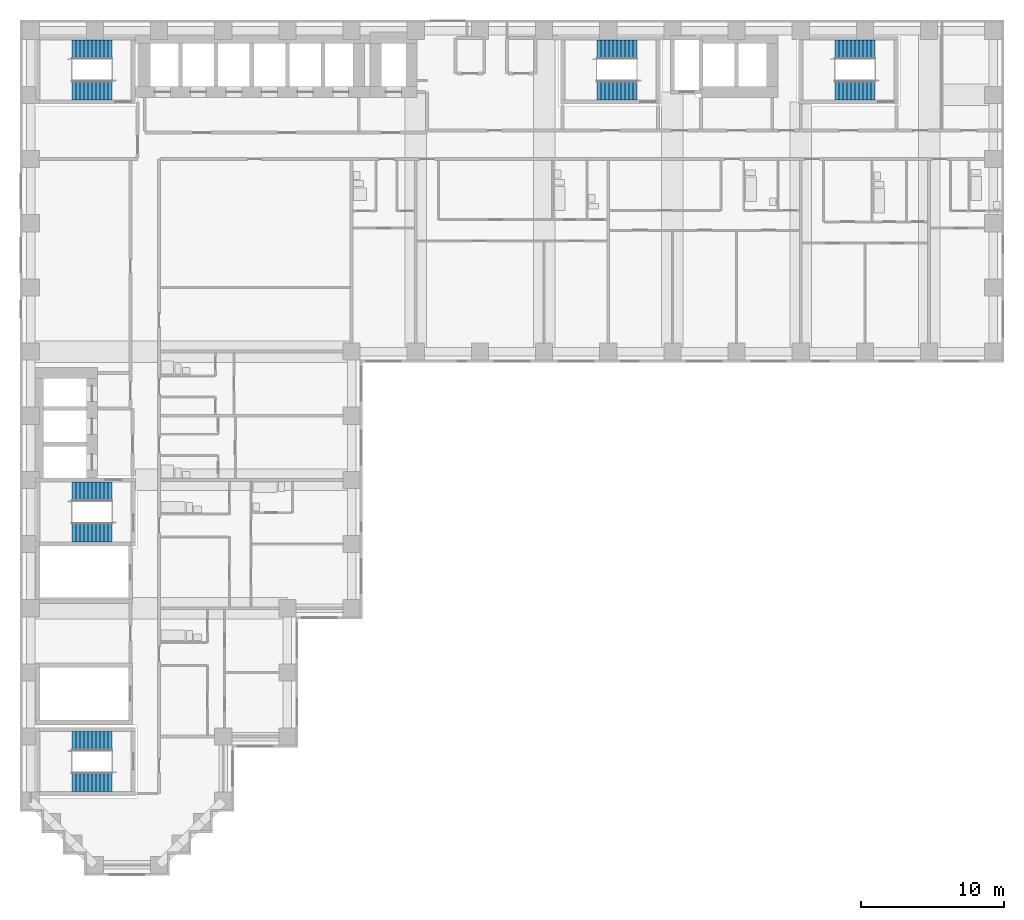
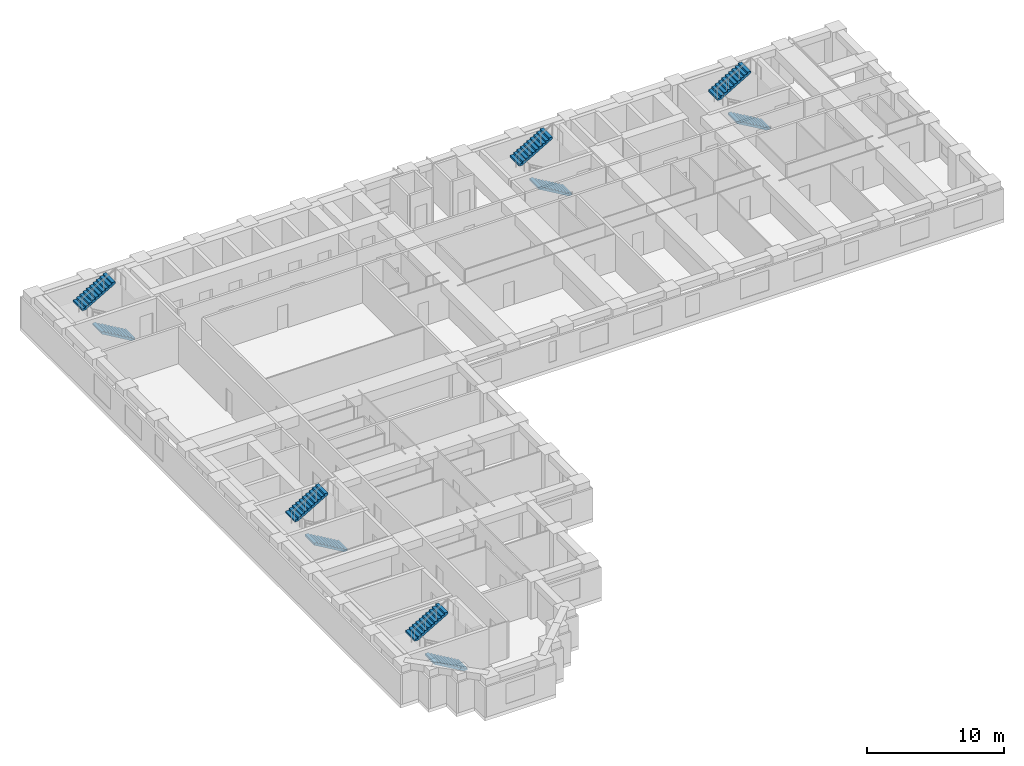
# One storey, part 9 of 11: 10 stair flights, 5 elements without a shape of their own.
"""IFC4 building model written with IfcOpenShell, lengths in metres."""

from ifc_helpers import new_model, si_unit, direction, frame, origin, place, context, subcontext, project, spatial, polyline, outline, extrude, material, type_object, element, aggregate, save


model = new_model("IFC4")

# Units and contexts
model_context = context("Model", 3, precision=1e-05, world=origin(), true_north=direction((0.0, 1.0)))
body_context = subcontext(model_context, "Body", "Model", "MODEL_VIEW")
ifc_project = project(units=[si_unit("LENGTHUNIT", "METRE"), si_unit("AREAUNIT", "SQUARE_METRE"), si_unit("VOLUMEUNIT", "CUBIC_METRE"), si_unit("PLANEANGLEUNIT", "RADIAN"), si_unit("MASSUNIT", "GRAM", prefix="KILO")], contexts=[model_context])

# Site, building, storey
site_placement = place(None, origin())
site = spatial("IfcSite", under=ifc_project, at=site_placement, CompositionType="ELEMENT")
building_placement = place(site_placement, origin())
building = spatial("IfcBuilding", under=site, at=building_placement, Name="Firuza Court", CompositionType="ELEMENT")
storey_placement = place(building_placement, frame((0.0, 0.0, 57.800048828125)))
storey = spatial("IfcBuildingStorey", under=building, at=storey_placement, Name="L13", CompositionType="ELEMENT", Elevation=57.800048828125)

# Stair, stair flights
ifc_material_1 = material(Name="Concrete C40/50 precast", Category="concrete")
stair_type = type_object("IfcStairType", Name="Stair 1350 x 3600 2 flights", PredefinedType="HALF_TURN_STAIR", material=ifc_material_1)
stair_1_placement = place(storey_placement, origin())
stair_1 = element("IfcStair", 1, at=stair_1_placement, inside=storey, type_object=stair_type, Name="Stair 1 L13", PredefinedType="HALF_TURN_STAIR")
ifc_material_2 = material(Name="Concrete C40/50 precast", Category="concrete")
stair_flight_type = type_object("IfcStairFlightType", Name="Flight 1350 riser 163.6", PredefinedType="STRAIGHT", material=ifc_material_2)
stair_flight_1_placement = place(storey_placement, frame((42.5, 54.324951171875, 0.0), z_axis=(0.0, 0.0, 1.0), x_axis=(-1.0, 0.0, 0.0)))
stair_flight_1 = element("IfcStairFlight", 2, at=stair_flight_1_placement, type_object=stair_flight_type, Name="S1 flight 1", NumberOfRisers=11, NumberOfTreads=10, PredefinedType="STRAIGHT", RiserHeight=0.163636364, TreadLength=0.28, context=body_context, shape_type="SweptSolid", body=[
    extrude(outline(polyline([(0.0, 0.0), (0.0, 0.16357421875), (0.280029296875, 0.16357421875), (0.280029296875, 0.327392578125), (0.56005859375, 0.327392578125), (0.56005859375, 0.490966796875), (0.840087890625, 0.490966796875), (0.840087890625, 0.654541015625), (1.1201171875, 0.654541015625), (1.1201171875, 0.818115234375), (1.39990234375, 0.818115234375), (1.39990234375, 0.98193359375), (1.679931640625, 0.98193359375), (1.679931640625, 1.1455078125), (1.9599609375, 1.1455078125), (1.9599609375, 1.30908203125), (2.239990234375, 1.30908203125), (2.239990234375, 1.47265625), (2.52001953125, 1.47265625), (2.52001953125, 1.636474609375), (2.800048828125, 1.636474609375), (2.800048828125, 1.800048828125), (2.800048828125, 1.462646484375), (0.297119140625, 0.0), (0.0, 0.0)])), frame((0.0, 0.675048828125, 0.0), z_axis=(0.0, -1.0, 0.0), x_axis=(1.0, 0.0, 0.0)), (0.0, 0.0, 1.0), 1.35009765625),
])
stair_flight_2_placement = place(storey_placement, frame((39.699951171875, 57.175048828125, 1.800048828125), z_axis=(0.0, 0.0, 1.0), x_axis=(1.0, 0.0, 0.0)))
stair_flight_2 = element("IfcStairFlight", 3, at=stair_flight_2_placement, type_object=stair_flight_type, Name="S1 flight 2", NumberOfRisers=11, NumberOfTreads=10, PredefinedType="STRAIGHT", RiserHeight=0.163636364, TreadLength=0.28, context=body_context, shape_type="SweptSolid", body=[
    extrude(outline(polyline([(0.0, 0.0), (0.0, 0.16357421875), (0.280029296875, 0.16357421875), (0.280029296875, 0.327392578125), (0.56005859375, 0.327392578125), (0.56005859375, 0.490966796875), (0.840087890625, 0.490966796875), (0.840087890625, 0.654541015625), (1.1201171875, 0.654541015625), (1.1201171875, 0.818115234375), (1.39990234375, 0.818115234375), (1.39990234375, 0.98193359375), (1.679931640625, 0.98193359375), (1.679931640625, 1.1455078125), (1.9599609375, 1.1455078125), (1.9599609375, 1.30908203125), (2.239990234375, 1.30908203125), (2.239990234375, 1.47265625), (2.52001953125, 1.47265625), (2.52001953125, 1.636474609375), (2.800048828125, 1.636474609375), (2.800048828125, 1.800048828125), (2.800048828125, 1.462646484375), (0.297119140625, 0.0), (0.0, 0.0)])), frame((0.0, 0.675048828125, 0.0), z_axis=(0.0, -1.0, 0.0), x_axis=(1.0, 0.0, 0.0)), (0.0, 0.0, 1.0), 1.35009765625),
])
aggregate(stair_1, [stair_flight_1, stair_flight_2])

stair_2_placement = place(storey_placement, origin())
stair_2 = element("IfcStair", 4, at=stair_2_placement, inside=storey, type_object=stair_type, Name="Stair 2 L13", PredefinedType="HALF_TURN_STAIR")
stair_flight_3_placement = place(storey_placement, frame((5.699951171875, 23.324951171875, 0.0), z_axis=(0.0, 0.0, 1.0), x_axis=(-1.0, 0.0, 0.0)))
stair_flight_3 = element("IfcStairFlight", 5, at=stair_flight_3_placement, type_object=stair_flight_type, Name="S2 flight 1", NumberOfRisers=11, NumberOfTreads=10, PredefinedType="STRAIGHT", RiserHeight=0.163636364, TreadLength=0.28, context=body_context, shape_type="SweptSolid", body=[
    extrude(outline(polyline([(0.0, 0.0), (0.0, 0.16357421875), (0.280029296875, 0.16357421875), (0.280029296875, 0.327392578125), (0.56005859375, 0.327392578125), (0.56005859375, 0.490966796875), (0.840087890625, 0.490966796875), (0.840087890625, 0.654541015625), (1.1201171875, 0.654541015625), (1.1201171875, 0.818115234375), (1.39990234375, 0.818115234375), (1.39990234375, 0.98193359375), (1.679931640625, 0.98193359375), (1.679931640625, 1.1455078125), (1.9599609375, 1.1455078125), (1.9599609375, 1.30908203125), (2.239990234375, 1.30908203125), (2.239990234375, 1.47265625), (2.52001953125, 1.47265625), (2.52001953125, 1.636474609375), (2.800048828125, 1.636474609375), (2.800048828125, 1.800048828125), (2.800048828125, 1.462646484375), (0.297119140625, 0.0), (0.0, 0.0)])), frame((0.0, 0.675048828125, 0.0), z_axis=(0.0, -1.0, 0.0), x_axis=(1.0, 0.0, 0.0)), (0.0, 0.0, 1.0), 1.35009765625),
])
stair_flight_4_placement = place(storey_placement, frame((2.89990234375, 26.175048828125, 1.800048828125), z_axis=(0.0, 0.0, 1.0), x_axis=(1.0, 0.0, 0.0)))
stair_flight_4 = element("IfcStairFlight", 6, at=stair_flight_4_placement, type_object=stair_flight_type, Name="S2 flight 2", NumberOfRisers=11, NumberOfTreads=10, PredefinedType="STRAIGHT", RiserHeight=0.163636364, TreadLength=0.28, context=body_context, shape_type="SweptSolid", body=[
    extrude(outline(polyline([(0.0, 0.0), (0.0, 0.16357421875), (0.280029296875, 0.16357421875), (0.280029296875, 0.327392578125), (0.56005859375, 0.327392578125), (0.56005859375, 0.490966796875), (0.840087890625, 0.490966796875), (0.840087890625, 0.654541015625), (1.1201171875, 0.654541015625), (1.1201171875, 0.818115234375), (1.39990234375, 0.818115234375), (1.39990234375, 0.98193359375), (1.679931640625, 0.98193359375), (1.679931640625, 1.1455078125), (1.9599609375, 1.1455078125), (1.9599609375, 1.30908203125), (2.239990234375, 1.30908203125), (2.239990234375, 1.47265625), (2.52001953125, 1.47265625), (2.52001953125, 1.636474609375), (2.800048828125, 1.636474609375), (2.800048828125, 1.800048828125), (2.800048828125, 1.462646484375), (0.297119140625, 0.0), (0.0, 0.0)])), frame((0.0, 0.675048828125, 0.0), z_axis=(0.0, -1.0, 0.0), x_axis=(1.0, 0.0, 0.0)), (0.0, 0.0, 1.0), 1.35009765625),
])
aggregate(stair_2, [stair_flight_3, stair_flight_4])

stair_3_placement = place(storey_placement, origin())
stair_3 = element("IfcStair", 7, at=stair_3_placement, inside=storey, type_object=stair_type, Name="Stair 3 L13", PredefinedType="HALF_TURN_STAIR")
stair_flight_5_placement = place(storey_placement, frame((5.699951171875, 54.324951171875, 0.0), z_axis=(0.0, 0.0, 1.0), x_axis=(-1.0, 0.0, 0.0)))
stair_flight_5 = element("IfcStairFlight", 8, at=stair_flight_5_placement, type_object=stair_flight_type, Name="S3 flight 1", NumberOfRisers=11, NumberOfTreads=10, PredefinedType="STRAIGHT", RiserHeight=0.163636364, TreadLength=0.28, context=body_context, shape_type="SweptSolid", body=[
    extrude(outline(polyline([(0.0, 0.0), (0.0, 0.16357421875), (0.280029296875, 0.16357421875), (0.280029296875, 0.327392578125), (0.56005859375, 0.327392578125), (0.56005859375, 0.490966796875), (0.840087890625, 0.490966796875), (0.840087890625, 0.654541015625), (1.1201171875, 0.654541015625), (1.1201171875, 0.818115234375), (1.39990234375, 0.818115234375), (1.39990234375, 0.98193359375), (1.679931640625, 0.98193359375), (1.679931640625, 1.1455078125), (1.9599609375, 1.1455078125), (1.9599609375, 1.30908203125), (2.239990234375, 1.30908203125), (2.239990234375, 1.47265625), (2.52001953125, 1.47265625), (2.52001953125, 1.636474609375), (2.800048828125, 1.636474609375), (2.800048828125, 1.800048828125), (2.800048828125, 1.462646484375), (0.297119140625, 0.0), (0.0, 0.0)])), frame((0.0, 0.675048828125, 0.0), z_axis=(0.0, -1.0, 0.0), x_axis=(1.0, 0.0, 0.0)), (0.0, 0.0, 1.0), 1.35009765625),
])
stair_flight_6_placement = place(storey_placement, frame((2.89990234375, 57.175048828125, 1.800048828125), z_axis=(0.0, 0.0, 1.0), x_axis=(1.0, 0.0, 0.0)))
stair_flight_6 = element("IfcStairFlight", 9, at=stair_flight_6_placement, type_object=stair_flight_type, Name="S3 flight 2", NumberOfRisers=11, NumberOfTreads=10, PredefinedType="STRAIGHT", RiserHeight=0.163636364, TreadLength=0.28, context=body_context, shape_type="SweptSolid", body=[
    extrude(outline(polyline([(0.0, 0.0), (0.0, 0.16357421875), (0.280029296875, 0.16357421875), (0.280029296875, 0.327392578125), (0.56005859375, 0.327392578125), (0.56005859375, 0.490966796875), (0.840087890625, 0.490966796875), (0.840087890625, 0.654541015625), (1.1201171875, 0.654541015625), (1.1201171875, 0.818115234375), (1.39990234375, 0.818115234375), (1.39990234375, 0.98193359375), (1.679931640625, 0.98193359375), (1.679931640625, 1.1455078125), (1.9599609375, 1.1455078125), (1.9599609375, 1.30908203125), (2.239990234375, 1.30908203125), (2.239990234375, 1.47265625), (2.52001953125, 1.47265625), (2.52001953125, 1.636474609375), (2.800048828125, 1.636474609375), (2.800048828125, 1.800048828125), (2.800048828125, 1.462646484375), (0.297119140625, 0.0), (0.0, 0.0)])), frame((0.0, 0.675048828125, 0.0), z_axis=(0.0, -1.0, 0.0), x_axis=(1.0, 0.0, 0.0)), (0.0, 0.0, 1.0), 1.35009765625),
])
aggregate(stair_3, [stair_flight_5, stair_flight_6])

stair_4_placement = place(storey_placement, origin())
stair_4 = element("IfcStair", 10, at=stair_4_placement, inside=storey, type_object=stair_type, Name="Stair 4 L13", PredefinedType="HALF_TURN_STAIR")
stair_flight_7_placement = place(storey_placement, frame((59.199951171875, 54.324951171875, 0.0), z_axis=(0.0, 0.0, 1.0), x_axis=(-1.0, 0.0, 0.0)))
stair_flight_7 = element("IfcStairFlight", 11, at=stair_flight_7_placement, type_object=stair_flight_type, Name="S4 flight 1", NumberOfRisers=11, NumberOfTreads=10, PredefinedType="STRAIGHT", RiserHeight=0.163636364, TreadLength=0.28, context=body_context, shape_type="SweptSolid", body=[
    extrude(outline(polyline([(0.0, 0.0), (0.0, 0.16357421875), (0.280029296875, 0.16357421875), (0.280029296875, 0.327392578125), (0.56005859375, 0.327392578125), (0.56005859375, 0.490966796875), (0.840087890625, 0.490966796875), (0.840087890625, 0.654541015625), (1.1201171875, 0.654541015625), (1.1201171875, 0.818115234375), (1.39990234375, 0.818115234375), (1.39990234375, 0.98193359375), (1.679931640625, 0.98193359375), (1.679931640625, 1.1455078125), (1.9599609375, 1.1455078125), (1.9599609375, 1.30908203125), (2.239990234375, 1.30908203125), (2.239990234375, 1.47265625), (2.52001953125, 1.47265625), (2.52001953125, 1.636474609375), (2.800048828125, 1.636474609375), (2.800048828125, 1.800048828125), (2.800048828125, 1.462646484375), (0.297119140625, 0.0), (0.0, 0.0)])), frame((0.0, 0.675048828125, 0.0), z_axis=(0.0, -1.0, 0.0), x_axis=(1.0, 0.0, 0.0)), (0.0, 0.0, 1.0), 1.35009765625),
])
stair_flight_8_placement = place(storey_placement, frame((56.39990234375, 57.175048828125, 1.800048828125), z_axis=(0.0, 0.0, 1.0), x_axis=(1.0, 0.0, 0.0)))
stair_flight_8 = element("IfcStairFlight", 12, at=stair_flight_8_placement, type_object=stair_flight_type, Name="S4 flight 2", NumberOfRisers=11, NumberOfTreads=10, PredefinedType="STRAIGHT", RiserHeight=0.163636364, TreadLength=0.28, context=body_context, shape_type="SweptSolid", body=[
    extrude(outline(polyline([(0.0, 0.0), (0.0, 0.16357421875), (0.280029296875, 0.16357421875), (0.280029296875, 0.327392578125), (0.56005859375, 0.327392578125), (0.56005859375, 0.490966796875), (0.840087890625, 0.490966796875), (0.840087890625, 0.654541015625), (1.1201171875, 0.654541015625), (1.1201171875, 0.818115234375), (1.39990234375, 0.818115234375), (1.39990234375, 0.98193359375), (1.679931640625, 0.98193359375), (1.679931640625, 1.1455078125), (1.9599609375, 1.1455078125), (1.9599609375, 1.30908203125), (2.239990234375, 1.30908203125), (2.239990234375, 1.47265625), (2.52001953125, 1.47265625), (2.52001953125, 1.636474609375), (2.800048828125, 1.636474609375), (2.800048828125, 1.800048828125), (2.800048828125, 1.462646484375), (0.297119140625, 0.0), (0.0, 0.0)])), frame((0.0, 0.675048828125, 0.0), z_axis=(0.0, -1.0, 0.0), x_axis=(1.0, 0.0, 0.0)), (0.0, 0.0, 1.0), 1.35009765625),
])
aggregate(stair_4, [stair_flight_7, stair_flight_8])

stair_5_placement = place(storey_placement, origin())
stair_5 = element("IfcStair", 13, at=stair_5_placement, inside=storey, type_object=stair_type, Name="Stair 5 L13", PredefinedType="HALF_TURN_STAIR")
stair_flight_9_placement = place(storey_placement, frame((5.699951171875, 5.824951171875, 0.0), z_axis=(0.0, 0.0, 1.0), x_axis=(-1.0, 0.0, 0.0)))
stair_flight_9 = element("IfcStairFlight", 14, at=stair_flight_9_placement, type_object=stair_flight_type, Name="S5 flight 1", NumberOfRisers=11, NumberOfTreads=10, PredefinedType="STRAIGHT", RiserHeight=0.163636364, TreadLength=0.28, context=body_context, shape_type="SweptSolid", body=[
    extrude(outline(polyline([(0.0, 0.0), (0.0, 0.16357421875), (0.280029296875, 0.16357421875), (0.280029296875, 0.327392578125), (0.56005859375, 0.327392578125), (0.56005859375, 0.490966796875), (0.840087890625, 0.490966796875), (0.840087890625, 0.654541015625), (1.1201171875, 0.654541015625), (1.1201171875, 0.818115234375), (1.39990234375, 0.818115234375), (1.39990234375, 0.98193359375), (1.679931640625, 0.98193359375), (1.679931640625, 1.1455078125), (1.9599609375, 1.1455078125), (1.9599609375, 1.30908203125), (2.239990234375, 1.30908203125), (2.239990234375, 1.47265625), (2.52001953125, 1.47265625), (2.52001953125, 1.636474609375), (2.800048828125, 1.636474609375), (2.800048828125, 1.800048828125), (2.800048828125, 1.462646484375), (0.297119140625, 0.0), (0.0, 0.0)])), frame((0.0, 0.675048828125, 0.0), z_axis=(0.0, -1.0, 0.0), x_axis=(1.0, 0.0, 0.0)), (0.0, 0.0, 1.0), 1.35009765625),
])
stair_flight_10_placement = place(storey_placement, frame((2.89990234375, 8.675048828125, 1.800048828125), z_axis=(0.0, 0.0, 1.0), x_axis=(1.0, 0.0, 0.0)))
stair_flight_10 = element("IfcStairFlight", 15, at=stair_flight_10_placement, type_object=stair_flight_type, Name="S5 flight 2", NumberOfRisers=11, NumberOfTreads=10, PredefinedType="STRAIGHT", RiserHeight=0.163636364, TreadLength=0.28, context=body_context, shape_type="SweptSolid", body=[
    extrude(outline(polyline([(0.0, 0.0), (0.0, 0.16357421875), (0.280029296875, 0.16357421875), (0.280029296875, 0.327392578125), (0.56005859375, 0.327392578125), (0.56005859375, 0.490966796875), (0.840087890625, 0.490966796875), (0.840087890625, 0.654541015625), (1.1201171875, 0.654541015625), (1.1201171875, 0.818115234375), (1.39990234375, 0.818115234375), (1.39990234375, 0.98193359375), (1.679931640625, 0.98193359375), (1.679931640625, 1.1455078125), (1.9599609375, 1.1455078125), (1.9599609375, 1.30908203125), (2.239990234375, 1.30908203125), (2.239990234375, 1.47265625), (2.52001953125, 1.47265625), (2.52001953125, 1.636474609375), (2.800048828125, 1.636474609375), (2.800048828125, 1.800048828125), (2.800048828125, 1.462646484375), (0.297119140625, 0.0), (0.0, 0.0)])), frame((0.0, 0.675048828125, 0.0), z_axis=(0.0, -1.0, 0.0), x_axis=(1.0, 0.0, 0.0)), (0.0, 0.0, 1.0), 1.35009765625),
])
aggregate(stair_5, [stair_flight_9, stair_flight_10])

save(model, "model.ifc")
